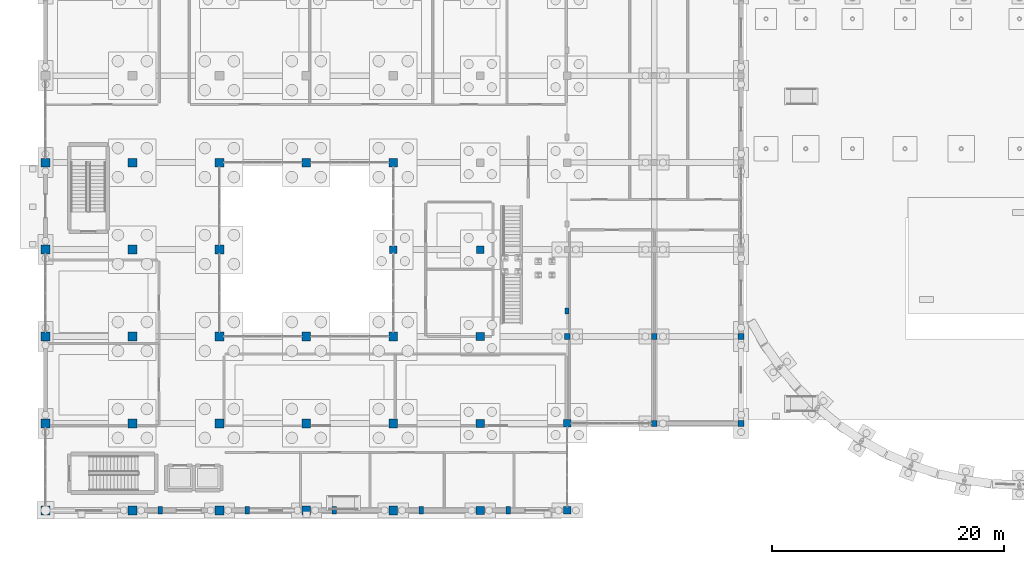
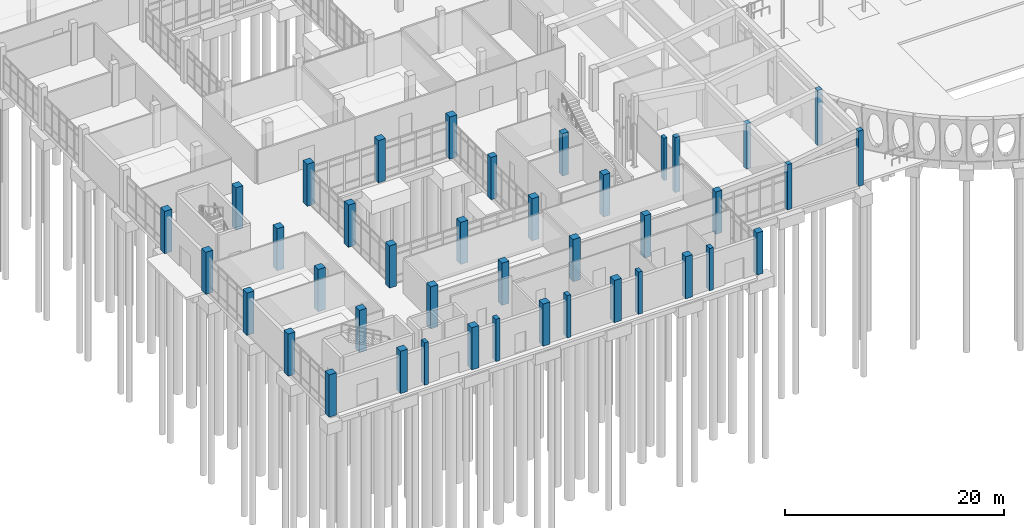
# One storey, part 7 of 173: 41 columns.
"""IFC4 building model written with IfcOpenShell, lengths in metres."""

from ifc_helpers import new_model, si_unit, direction, frame, origin, origin_2d, place, context, subcontext, project, spatial, rectangle, extrude, material, material_profile, profile_set, type_object, element, save


model = new_model("IFC4")

# Units and contexts
model_context = context("Model", 3, precision=1e-05, world=origin(), true_north=direction((0.0, 1.0)))
body_context = subcontext(model_context, "Body", "Model", "MODEL_VIEW")
ifc_project = project(units=[si_unit("LENGTHUNIT", "METRE"), si_unit("AREAUNIT", "SQUARE_METRE"), si_unit("VOLUMEUNIT", "CUBIC_METRE"), si_unit("PLANEANGLEUNIT", "RADIAN"), si_unit("MASSUNIT", "GRAM", prefix="KILO")], contexts=[model_context])

# Site, building, storey
site_placement = place(None, origin())
site = spatial("IfcSite", under=ifc_project, at=site_placement, CompositionType="ELEMENT")
building_placement = place(site_placement, origin())
building = spatial("IfcBuilding", under=site, at=building_placement, Name="Mawjan Specialist Oncology Clinic", CompositionType="ELEMENT")
storey_placement = place(building_placement, origin())
storey = spatial("IfcBuildingStorey", under=building, at=storey_placement, Name="L00", CompositionType="ELEMENT", Elevation=0.0)

# Columns
ifc_material_1 = material(Name="Concrete C45/55", Category="concrete")
ifc_material_profile_1 = material_profile(ifc_material_1, rectangle(XDim=0.5, YDim=0.5, at=origin_2d()), Name="RC COL 500x500", Category="concrete")
ifc_profile_set_1 = profile_set([ifc_material_profile_1], Name="Concrete C45/55")
column_type_1 = type_object("IfcColumnType", Name="C-500", PredefinedType="COLUMN", material=ifc_profile_set_1)
column_1_placement = place(storey_placement, frame((45.0, 15.800048828125, 0.0), z_axis=(0.0, 0.0, 1.0), x_axis=(1.0, 0.0, 0.0)))
element("IfcColumn", 1, at=column_1_placement, inside=storey, type_object=column_type_1, Name="L00 Column G-7-C", PredefinedType="COLUMN", context=body_context, shape_type="SweptSolid", body=[
    extrude(rectangle(XDim=0.5, YDim=0.5, at=origin_2d()), origin(), (0.0, 0.0, 1.0), 6.1376953125),
])
for number, where, z_axis, x_axis, name in (
    (2, (52.5, 8.300048828125, 0.0), (0.0, 0.0, 1.0), (1.0, 0.0, 0.0), "L00 Column G-8-B"),
    (3, (52.5, 15.800048828125, 0.0), (0.0, 0.0, 1.0), (1.0, 0.0, 0.0), "L00 Column G-8-C"),
):
    element("IfcColumn", number, at=place(storey_placement, frame(where, z_axis=z_axis, x_axis=x_axis)), inside=storey, type_object=column_type_1, Name=name, PredefinedType="COLUMN", context=body_context, shape_type="SweptSolid", body=[
        extrude(rectangle(XDim=0.5, YDim=0.5, at=origin_2d()), origin(), (0.0, 0.0, 1.0), 5.035888671875),
    ])
for number, where, z_axis, x_axis, name in (
    (4, (60.0, 8.300048828125, 0.0), (0.0, 0.0, 1.0), (1.0, 0.0, 0.0), "L00 Column G-9-B"),
    (5, (60.0, 15.800048828125, 0.0), (0.0, 0.0, 1.0), (1.0, 0.0, 0.0), "L00 Column G-9-C"),
):
    element("IfcColumn", number, at=place(storey_placement, frame(where, z_axis=z_axis, x_axis=x_axis)), inside=storey, type_object=column_type_1, Name=name, PredefinedType="COLUMN", context=body_context, shape_type="SweptSolid", body=[
        extrude(rectangle(XDim=0.5, YDim=0.5, at=origin_2d()), origin(), (0.0, 0.0, 1.0), 6.1376953125),
    ])
ifc_material_2 = material(Name="Concrete C45/55", Category="concrete")
ifc_material_profile_2 = material_profile(ifc_material_2, rectangle(XDim=0.64990234375, YDim=0.64990234375, at=origin_2d()), Name="RC COL 650x650", Category="concrete")
ifc_profile_set_2 = profile_set([ifc_material_profile_2], Name="Concrete C45/55")
column_type_2 = type_object("IfcColumnType", Name="C-650", PredefinedType="COLUMN", material=ifc_profile_set_2)
for number, where, z_axis, x_axis, name in (
    (6, (30.0, 23.300048828125, 0.0), (0.0, 0.0, 1.0), (1.0, 0.0, 0.0), "L00 Column G-5-D"),
    (7, (37.5, 23.300048828125, 0.0), (0.0, 0.0, 1.0), (1.0, 0.0, 0.0), "L00 Column G-6-D"),
    (8, (45.0, 0.800048828125, 0.0), (0.0, 0.0, 1.0), (1.0, 0.0, 0.0), "L00 Column G-7-A"),
    (9, (45.0, 8.300048828125, 0.0), (0.0, 0.0, 1.0), (1.0, 0.0, 0.0), "L00 Column G-7-B"),
):
    element("IfcColumn", number, at=place(storey_placement, frame(where, z_axis=z_axis, x_axis=x_axis)), inside=storey, type_object=column_type_2, Name=name, PredefinedType="COLUMN", context=body_context, shape_type="SweptSolid", body=[
        extrude(rectangle(XDim=0.64990234375, YDim=0.64990234375, at=origin_2d()), origin(), (0.0, 0.0, 1.0), 4.699951171875),
    ])
ifc_material_3 = material(Name="Concrete C45/55", Category="concrete")
ifc_material_profile_3 = material_profile(ifc_material_3, rectangle(XDim=0.699951171875, YDim=0.699951171875, at=origin_2d()), Name="RC COL 700x700", Category="concrete")
ifc_profile_set_3 = profile_set([ifc_material_profile_3], Name="Concrete C45/55")
column_type_3 = type_object("IfcColumnType", Name="C-700", PredefinedType="COLUMN", material=ifc_profile_set_3)
for number, where, z_axis, x_axis, name in (
    (10, (37.5, 0.800048828125, 0.0), (0.0, 0.0, 1.0), (1.0, 0.0, 0.0), "L00 Column G-6-A"),
    (11, (37.5, 8.300048828125, 0.0), (0.0, 0.0, 1.0), (1.0, 0.0, 0.0), "L00 Column G-6-B"),
    (12, (37.5, 15.800048828125, 0.0), (0.0, 0.0, 1.0), (1.0, 0.0, 0.0), "L00 Column G-6-C"),
):
    element("IfcColumn", number, at=place(storey_placement, frame(where, z_axis=z_axis, x_axis=x_axis)), inside=storey, type_object=column_type_3, Name=name, PredefinedType="COLUMN", context=body_context, shape_type="SweptSolid", body=[
        extrude(rectangle(XDim=0.699951171875, YDim=0.699951171875, at=origin_2d()), origin(), (0.0, 0.0, 1.0), 4.699951171875),
    ])
ifc_material_4 = material(Name="Concrete C45/55", Category="concrete")
ifc_material_profile_4 = material_profile(ifc_material_4, rectangle(XDim=0.75, YDim=0.75, at=origin_2d()), Name="RC COL 750x750", Category="concrete")
ifc_profile_set_4 = profile_set([ifc_material_profile_4], Name="Concrete C45/55")
column_type_4 = type_object("IfcColumnType", Name="C-750", PredefinedType="COLUMN", material=ifc_profile_set_4)
for number, where, z_axis, x_axis, name in (
    (13, (0.0, 0.800048828125, 0.0), (0.0, 0.0, 1.0), (1.0, 0.0, 0.0), "L00 Column G-1-A"),
    (14, (0.0, 8.300048828125, 0.0), (0.0, 0.0, 1.0), (1.0, 0.0, 0.0), "L00 Column G-1-B"),
    (15, (0.0, 15.800048828125, 0.0), (0.0, 0.0, 1.0), (1.0, 0.0, 0.0), "L00 Column G-1-C"),
    (16, (0.0, 23.300048828125, 0.0), (0.0, 0.0, 1.0), (1.0, 0.0, 0.0), "L00 Column G-1-D"),
    (17, (0.0, 30.800048828125, 0.0), (0.0, 0.0, 1.0), (1.0, 0.0, 0.0), "L00 Column G-1-E"),
    (18, (7.5, 0.800048828125, 0.0), (0.0, 0.0, 1.0), (1.0, 0.0, 0.0), "L00 Column G-2-A"),
    (19, (7.5, 8.300048828125, 0.0), (0.0, 0.0, 1.0), (1.0, 0.0, 0.0), "L00 Column G-2-B"),
    (20, (7.5, 15.800048828125, 0.0), (0.0, 0.0, 1.0), (1.0, 0.0, 0.0), "L00 Column G-2-C"),
    (21, (7.5, 23.300048828125, 0.0), (0.0, 0.0, 1.0), (1.0, 0.0, 0.0), "L00 Column G-2-D"),
    (22, (7.5, 30.800048828125, 0.0), (0.0, 0.0, 1.0), (1.0, 0.0, 0.0), "L00 Column G-2-E"),
    (23, (15.0, 0.800048828125, 0.0), (0.0, 0.0, 1.0), (1.0, 0.0, 0.0), "L00 Column G-3-A"),
    (24, (15.0, 8.300048828125, 0.0), (0.0, 0.0, 1.0), (1.0, 0.0, 0.0), "L00 Column G-3-B"),
    (25, (15.0, 15.800048828125, 0.0), (0.0, 0.0, 1.0), (1.0, 0.0, 0.0), "L00 Column G-3-C"),
    (26, (15.0, 23.300048828125, 0.0), (0.0, 0.0, 1.0), (1.0, 0.0, 0.0), "L00 Column G-3-D"),
    (27, (15.0, 30.800048828125, 0.0), (0.0, 0.0, 1.0), (1.0, 0.0, 0.0), "L00 Column G-3-E"),
    (28, (22.5, 0.800048828125, 0.0), (0.0, 0.0, 1.0), (1.0, 0.0, 0.0), "L00 Column G-4-A"),
    (29, (22.5, 8.300048828125, 0.0), (0.0, 0.0, 1.0), (1.0, 0.0, 0.0), "L00 Column G-4-B"),
    (30, (22.5, 15.800048828125, 0.0), (0.0, 0.0, 1.0), (1.0, 0.0, 0.0), "L00 Column G-4-C"),
    (31, (22.5, 30.800048828125, 0.0), (0.0, 0.0, 1.0), (1.0, 0.0, 0.0), "L00 Column G-4-E"),
    (32, (30.0, 0.800048828125, 0.0), (0.0, 0.0, 1.0), (1.0, 0.0, 0.0), "L00 Column G-5-A"),
    (33, (30.0, 8.300048828125, 0.0), (0.0, 0.0, 1.0), (1.0, 0.0, 0.0), "L00 Column G-5-B"),
    (34, (30.0, 15.800048828125, 0.0), (0.0, 0.0, 1.0), (1.0, 0.0, 0.0), "L00 Column G-5-C"),
    (35, (30.0, 30.800048828125, 0.0), (0.0, 0.0, 1.0), (1.0, 0.0, 0.0), "L00 Column G-5-E"),
):
    element("IfcColumn", number, at=place(storey_placement, frame(where, z_axis=z_axis, x_axis=x_axis)), inside=storey, type_object=column_type_4, Name=name, PredefinedType="COLUMN", context=body_context, shape_type="SweptSolid", body=[
        extrude(rectangle(XDim=0.75, YDim=0.75, at=origin_2d()), origin(), (0.0, 0.0, 1.0), 4.699951171875),
    ])
ifc_material_5 = material(Name="Concrete C45/55", Category="concrete")
ifc_material_profile_5 = material_profile(ifc_material_5, rectangle(XDim=0.35009765625, YDim=0.550048828125, at=origin_2d()), Name="RC PIL 350x550", Category="concrete")
ifc_profile_set_5 = profile_set([ifc_material_profile_5], Name="Concrete C45/55")
column_type_5 = type_object("IfcColumnType", Name="PIL-350", PredefinedType="PILASTER", material=ifc_profile_set_5)
column_2_placement = place(storey_placement, frame((45.0, 18.0, 0.0), z_axis=(0.0, 0.0, 1.0), x_axis=(1.0, 0.0, 0.0)))
element("IfcColumn", 36, at=column_2_placement, inside=storey, type_object=column_type_5, Name="L00 Architectural Structural Pilaster 6", PredefinedType="PILASTER", context=body_context, shape_type="SweptSolid", body=[
    extrude(rectangle(XDim=0.35009765625, YDim=0.550048828125, at=origin_2d()), origin(), (0.0, 0.0, 1.0), 4.699951171875),
])
ifc_material_6 = material(Name="Concrete C45/55", Category="concrete")
ifc_material_profile_6 = material_profile(ifc_material_6, rectangle(XDim=0.39990234375, YDim=0.64990234375, at=origin_2d()), Name="RC PIL 400x650", Category="concrete")
ifc_profile_set_6 = profile_set([ifc_material_profile_6], Name="Concrete C45/55")
column_type_6 = type_object("IfcColumnType", Name="PIL-400", PredefinedType="PILASTER", material=ifc_profile_set_6)
for number, where, z_axis, x_axis, name in (
    (37, (9.89990234375, 0.800048828125, 0.0), (0.0, 0.0, 1.0), (1.0, 0.0, 0.0), "L00 Architectural Structural Pilaster 1"),
    (38, (17.39990234375, 0.800048828125, 0.0), (0.0, 0.0, 1.0), (1.0, 0.0, 0.0), "L00 Architectural Structural Pilaster 2"),
    (39, (24.89990234375, 0.800048828125, 0.0), (0.0, 0.0, 1.0), (1.0, 0.0, 0.0), "L00 Architectural Structural Pilaster 3"),
    (40, (32.39990234375, 0.800048828125, 0.0), (0.0, 0.0, 1.0), (1.0, 0.0, 0.0), "L00 Architectural Structural Pilaster 4"),
    (41, (39.89990234375, 0.800048828125, 0.0), (0.0, 0.0, 1.0), (1.0, 0.0, 0.0), "L00 Architectural Structural Pilaster 5"),
):
    element("IfcColumn", number, at=place(storey_placement, frame(where, z_axis=z_axis, x_axis=x_axis)), inside=storey, type_object=column_type_6, Name=name, PredefinedType="PILASTER", context=body_context, shape_type="SweptSolid", body=[
        extrude(rectangle(XDim=0.39990234375, YDim=0.64990234375, at=origin_2d()), origin(), (0.0, 0.0, 1.0), 4.699951171875),
    ])

save(model, "model.ifc")
